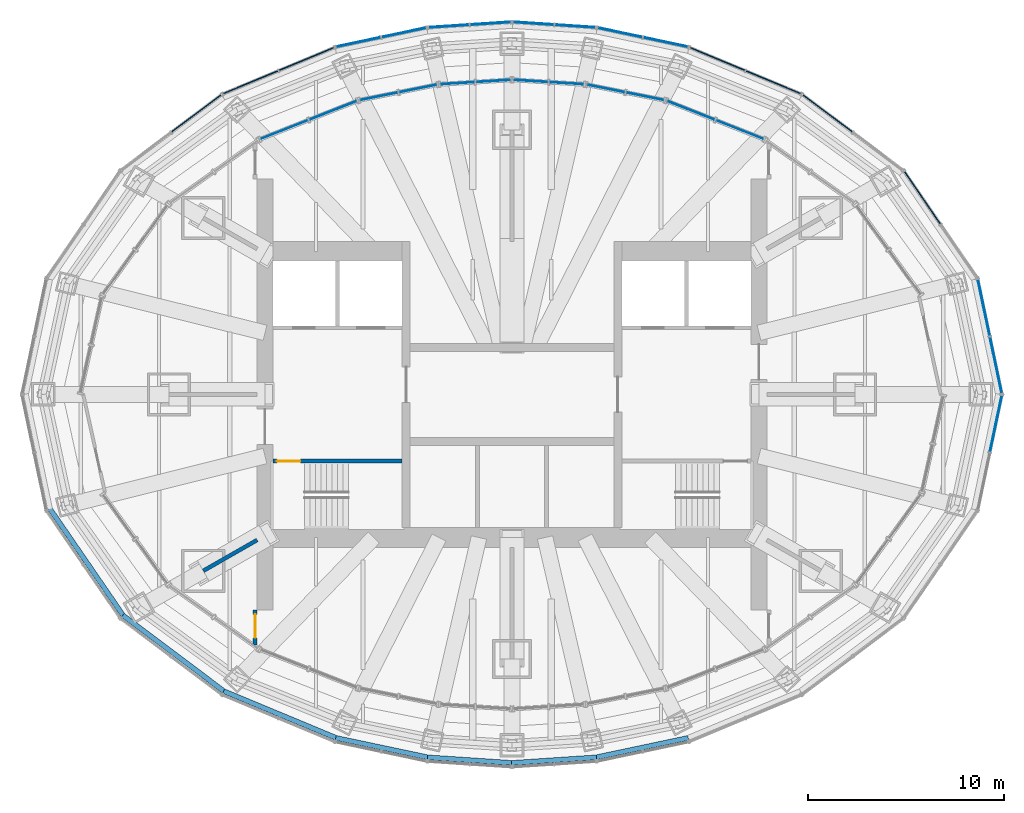
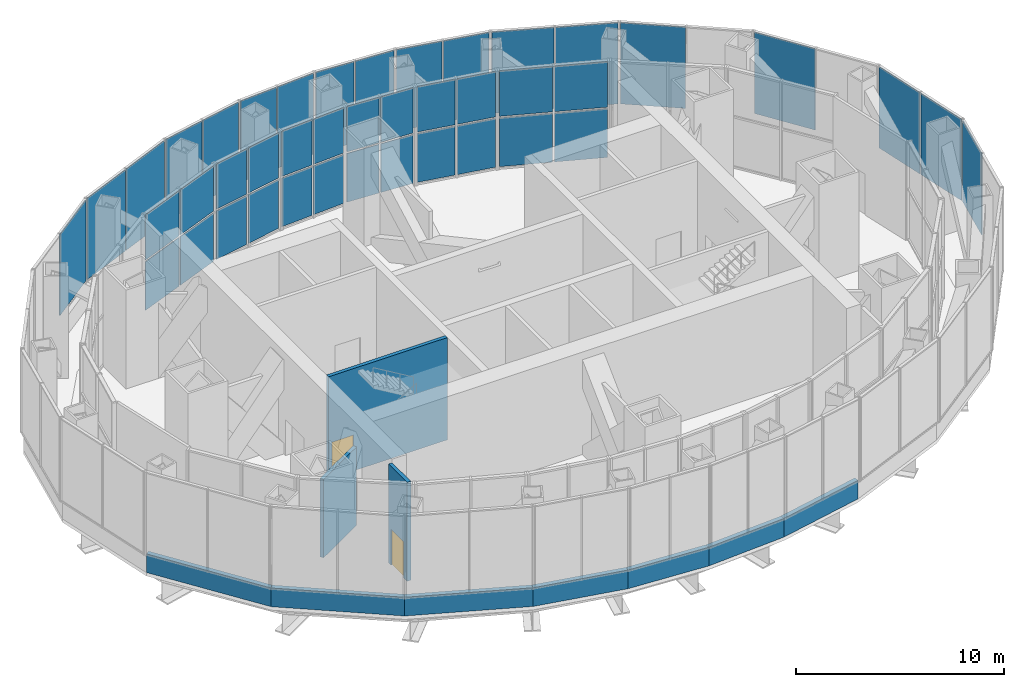
# One storey, part 15 of 21: 42 plates, 10 walls, 2 doors, 2 openings, 17 elements without a shape of their own.
"""IFC4 building model written with IfcOpenShell, lengths in metres."""

from ifc_helpers import new_model, si_unit, direction, frame, frame_2d, origin, origin_2d, place, context, subcontext, project, spatial, rectangle, extrude, material, layer, layer_set, type_object, element, fill, aggregate, save


model = new_model("IFC4")

# Units and contexts
model_context = context("Model", 3, precision=1e-05, world=origin(), true_north=direction((0.0, 1.0)))
body_context = subcontext(model_context, "Body", "Model", "MODEL_VIEW")
ifc_project = project(units=[si_unit("LENGTHUNIT", "METRE"), si_unit("AREAUNIT", "SQUARE_METRE"), si_unit("VOLUMEUNIT", "CUBIC_METRE"), si_unit("PLANEANGLEUNIT", "RADIAN"), si_unit("MASSUNIT", "GRAM", prefix="KILO")], contexts=[model_context])

# Site, building, storey
site_placement = place(None, origin())
site = spatial("IfcSite", under=ifc_project, at=site_placement, CompositionType="ELEMENT")
building_placement = place(site_placement, origin())
building = spatial("IfcBuilding", under=site, at=building_placement, Name="Lantaw Convention Tower", CompositionType="ELEMENT")
storey_placement = place(building_placement, frame((0.0, 0.0, 284.39990234375)))
storey = spatial("IfcBuildingStorey", under=building, at=storey_placement, Name="L66", CompositionType="ELEMENT", Elevation=284.39990234375)

# Curtain wall, plates
ifc_material_1 = material(Name="Aluminium framed curtain wall", Category="aluminium")
curtain_wall_type_1 = type_object("IfcCurtainWallType", Name="LANTERN glazing curtain wall, pale aluminium", PredefinedType="USERDEFINED", material=ifc_material_1)
curtain_wall_1_placement = place(storey_placement, origin())
curtain_wall_1 = element("IfcCurtainWall", 1, at=curtain_wall_1_placement, inside=storey, type_object=curtain_wall_type_1, Name="LANTERN glazing curtain wall, pale aluminium L66", ObjectType="LANTERN GLAZING", PredefinedType="USERDEFINED")
ifc_material_2 = material(Name="Low-iron laminated glass", Category="glass")
ifc_layer_1 = layer(ifc_material_2, 0.035888671875)
ifc_layer_set_1 = layer_set([ifc_layer_1], Name="CW-LN panel 36")
plate_type_1 = type_object("IfcPlateType", Name="CW-LN panel 36", PredefinedType="CURTAIN_PANEL", material=ifc_layer_set_1)
plate_1_placement = place(storey_placement, frame((11.615234375, 13.50439453125, 0.10009765625), z_axis=(0.0, 0.0, 1.0), x_axis=(-0.930299050885, 0.366801957358, 0.0)))
plate_1 = element("IfcPlate", 2, at=plate_1_placement, type_object=plate_type_1, Name="CW-LN panel 1.1", PredefinedType="CURTAIN_PANEL", context=body_context, shape_type="SweptSolid", body=[
    extrude(rectangle(XDim=2.574462890625, YDim=0.035888671875, at=origin_2d()), origin(), (0.0, 0.0, 1.0), 2.85009765625),
])
plate_2_placement = place(storey_placement, frame((11.615234375, 13.50439453125, 3.050048828125), z_axis=(0.0, 0.0, 1.0), x_axis=(-0.930299050885, 0.366801957358, 0.0)))
plate_2 = element("IfcPlate", 3, at=plate_2_placement, type_object=plate_type_1, Name="CW-LN panel 1.2", PredefinedType="CURTAIN_PANEL", context=body_context, shape_type="SweptSolid", body=[
    extrude(rectangle(XDim=2.574462890625, YDim=0.035888671875, at=origin_2d()), origin(), (0.0, 0.0, 1.0), 2.64990234375),
])
plate_3_placement = place(storey_placement, frame((9.127197265625, 14.4853515625, 0.10009765625), z_axis=(0.0, 0.0, 1.0), x_axis=(-0.930299050885, 0.366801957358, 0.0)))
plate_3 = element("IfcPlate", 4, at=plate_3_placement, type_object=plate_type_1, Name="CW-LN panel 2.1", PredefinedType="CURTAIN_PANEL", context=body_context, shape_type="SweptSolid", body=[
    extrude(rectangle(XDim=2.574462890625, YDim=0.035888671875, at=origin_2d()), origin(), (0.0, 0.0, 1.0), 2.85009765625),
])
plate_4_placement = place(storey_placement, frame((9.127197265625, 14.4853515625, 3.050048828125), z_axis=(0.0, 0.0, 1.0), x_axis=(-0.930299050885, 0.366801957358, 0.0)))
plate_4 = element("IfcPlate", 5, at=plate_4_placement, type_object=plate_type_1, Name="CW-LN panel 2.2", PredefinedType="CURTAIN_PANEL", context=body_context, shape_type="SweptSolid", body=[
    extrude(rectangle(XDim=2.574462890625, YDim=0.035888671875, at=origin_2d()), origin(), (0.0, 0.0, 1.0), 2.64990234375),
])
aggregate(curtain_wall_1, [plate_1, plate_2, plate_3, plate_4])

curtain_wall_2_placement = place(storey_placement, origin())
curtain_wall_2 = element("IfcCurtainWall", 6, at=curtain_wall_2_placement, inside=storey, type_object=curtain_wall_type_1, Name="LANTERN glazing curtain wall, pale aluminium L66", ObjectType="LANTERN GLAZING", PredefinedType="USERDEFINED")
plate_5_placement = place(storey_placement, frame((6.789306640625, 15.2041015625, 0.10009765625), z_axis=(0.0, 0.0, 1.0), x_axis=(-0.980530423622, 0.196367228305, 0.0)))
plate_5 = element("IfcPlate", 7, at=plate_5_placement, type_object=plate_type_1, Name="CW-LN panel 1.1", PredefinedType="CURTAIN_PANEL", context=body_context, shape_type="SweptSolid", body=[
    extrude(rectangle(XDim=1.936279296875, YDim=0.035888671875, at=origin_2d()), origin(), (0.0, 0.0, 1.0), 2.85009765625),
])
plate_6_placement = place(storey_placement, frame((6.789306640625, 15.2041015625, 3.050048828125), z_axis=(0.0, 0.0, 1.0), x_axis=(-0.980530423622, 0.196367228305, 0.0)))
plate_6 = element("IfcPlate", 8, at=plate_6_placement, type_object=plate_type_1, Name="CW-LN panel 1.2", PredefinedType="CURTAIN_PANEL", context=body_context, shape_type="SweptSolid", body=[
    extrude(rectangle(XDim=1.936279296875, YDim=0.035888671875, at=origin_2d()), origin(), (0.0, 0.0, 1.0), 2.64990234375),
])
plate_7_placement = place(storey_placement, frame((4.792724609375, 15.60400390625, 0.10009765625), z_axis=(0.0, 0.0, 1.0), x_axis=(-0.980530423622, 0.196367228305, 0.0)))
plate_7 = element("IfcPlate", 9, at=plate_7_placement, type_object=plate_type_1, Name="CW-LN panel 2.1", PredefinedType="CURTAIN_PANEL", context=body_context, shape_type="SweptSolid", body=[
    extrude(rectangle(XDim=1.936279296875, YDim=0.035888671875, at=origin_2d()), origin(), (0.0, 0.0, 1.0), 2.85009765625),
])
plate_8_placement = place(storey_placement, frame((4.792724609375, 15.60400390625, 3.050048828125), z_axis=(0.0, 0.0, 1.0), x_axis=(-0.980530423622, 0.196367228305, 0.0)))
plate_8 = element("IfcPlate", 10, at=plate_8_placement, type_object=plate_type_1, Name="CW-LN panel 2.2", PredefinedType="CURTAIN_PANEL", context=body_context, shape_type="SweptSolid", body=[
    extrude(rectangle(XDim=1.936279296875, YDim=0.035888671875, at=origin_2d()), origin(), (0.0, 0.0, 1.0), 2.64990234375),
])
aggregate(curtain_wall_2, [plate_5, plate_6, plate_7, plate_8])

curtain_wall_3_placement = place(storey_placement, origin())
curtain_wall_3 = element("IfcCurtainWall", 11, at=curtain_wall_3_placement, inside=storey, type_object=curtain_wall_type_1, Name="LANTERN glazing curtain wall, pale aluminium L66", ObjectType="LANTERN GLAZING", PredefinedType="USERDEFINED")
plate_9_placement = place(storey_placement, frame((2.783935546875, 15.873779296875, 0.10009765625), z_axis=(0.0, 0.0, 1.0), x_axis=(-0.998045676091, 0.062488626454, 0.0)))
plate_9 = element("IfcPlate", 12, at=plate_9_placement, type_object=plate_type_1, Name="CW-LN panel 1.1", PredefinedType="CURTAIN_PANEL", context=body_context, shape_type="SweptSolid", body=[
    extrude(rectangle(XDim=1.726318359375, YDim=0.035888671875, at=origin_2d()), origin(), (0.0, 0.0, 1.0), 2.85009765625),
])
plate_10_placement = place(storey_placement, frame((2.783935546875, 15.873779296875, 3.050048828125), z_axis=(0.0, 0.0, 1.0), x_axis=(-0.998045676091, 0.062488626454, 0.0)))
plate_10 = element("IfcPlate", 13, at=plate_10_placement, type_object=plate_type_1, Name="CW-LN panel 1.2", PredefinedType="CURTAIN_PANEL", context=body_context, shape_type="SweptSolid", body=[
    extrude(rectangle(XDim=1.726318359375, YDim=0.035888671875, at=origin_2d()), origin(), (0.0, 0.0, 1.0), 2.64990234375),
])
plate_11_placement = place(storey_placement, frame((0.961181640625, 15.988037109375, 0.10009765625), z_axis=(0.0, 0.0, 1.0), x_axis=(-0.998045676091, 0.062488626454, 0.0)))
plate_11 = element("IfcPlate", 14, at=plate_11_placement, type_object=plate_type_1, Name="CW-LN panel 2.1", PredefinedType="CURTAIN_PANEL", context=body_context, shape_type="SweptSolid", body=[
    extrude(rectangle(XDim=1.726318359375, YDim=0.035888671875, at=origin_2d()), origin(), (0.0, 0.0, 1.0), 2.85009765625),
])
plate_12_placement = place(storey_placement, frame((0.961181640625, 15.988037109375, 3.050048828125), z_axis=(0.0, 0.0, 1.0), x_axis=(-0.998045676091, 0.062488626454, 0.0)))
plate_12 = element("IfcPlate", 15, at=plate_12_placement, type_object=plate_type_1, Name="CW-LN panel 2.2", PredefinedType="CURTAIN_PANEL", context=body_context, shape_type="SweptSolid", body=[
    extrude(rectangle(XDim=1.726318359375, YDim=0.035888671875, at=origin_2d()), origin(), (0.0, 0.0, 1.0), 2.64990234375),
])
aggregate(curtain_wall_3, [plate_9, plate_10, plate_11, plate_12])

curtain_wall_4_placement = place(storey_placement, origin())
curtain_wall_4 = element("IfcCurtainWall", 16, at=curtain_wall_4_placement, inside=storey, type_object=curtain_wall_type_1, Name="LANTERN glazing curtain wall, pale aluminium L66", ObjectType="LANTERN GLAZING", PredefinedType="USERDEFINED")
plate_13_placement = place(storey_placement, frame((-0.961181640625, 15.988037109375, 0.10009765625), z_axis=(0.0, 0.0, 1.0), x_axis=(-0.998045676091, -0.062488626454, 0.0)))
plate_13 = element("IfcPlate", 17, at=plate_13_placement, type_object=plate_type_1, Name="CW-LN panel 1.1", PredefinedType="CURTAIN_PANEL", context=body_context, shape_type="SweptSolid", body=[
    extrude(rectangle(XDim=1.726318359375, YDim=0.035888671875, at=origin_2d()), origin(), (0.0, 0.0, 1.0), 2.85009765625),
])
plate_14_placement = place(storey_placement, frame((-0.961181640625, 15.988037109375, 3.050048828125), z_axis=(0.0, 0.0, 1.0), x_axis=(-0.998045676091, -0.062488626454, 0.0)))
plate_14 = element("IfcPlate", 18, at=plate_14_placement, type_object=plate_type_1, Name="CW-LN panel 1.2", PredefinedType="CURTAIN_PANEL", context=body_context, shape_type="SweptSolid", body=[
    extrude(rectangle(XDim=1.726318359375, YDim=0.035888671875, at=origin_2d()), origin(), (0.0, 0.0, 1.0), 2.64990234375),
])
plate_15_placement = place(storey_placement, frame((-2.783935546875, 15.873779296875, 0.10009765625), z_axis=(0.0, 0.0, 1.0), x_axis=(-0.998045676091, -0.062488626454, 0.0)))
plate_15 = element("IfcPlate", 19, at=plate_15_placement, type_object=plate_type_1, Name="CW-LN panel 2.1", PredefinedType="CURTAIN_PANEL", context=body_context, shape_type="SweptSolid", body=[
    extrude(rectangle(XDim=1.726318359375, YDim=0.035888671875, at=origin_2d()), origin(), (0.0, 0.0, 1.0), 2.85009765625),
])
plate_16_placement = place(storey_placement, frame((-2.783935546875, 15.873779296875, 3.050048828125), z_axis=(0.0, 0.0, 1.0), x_axis=(-0.998045676091, -0.062488626454, 0.0)))
plate_16 = element("IfcPlate", 20, at=plate_16_placement, type_object=plate_type_1, Name="CW-LN panel 2.2", PredefinedType="CURTAIN_PANEL", context=body_context, shape_type="SweptSolid", body=[
    extrude(rectangle(XDim=1.726318359375, YDim=0.035888671875, at=origin_2d()), origin(), (0.0, 0.0, 1.0), 2.64990234375),
])
aggregate(curtain_wall_4, [plate_13, plate_14, plate_15, plate_16])

curtain_wall_5_placement = place(storey_placement, origin())
curtain_wall_5 = element("IfcCurtainWall", 21, at=curtain_wall_5_placement, inside=storey, type_object=curtain_wall_type_1, Name="LANTERN glazing curtain wall, pale aluminium L66", ObjectType="LANTERN GLAZING", PredefinedType="USERDEFINED")
plate_17_placement = place(storey_placement, frame((-4.792724609375, 15.60400390625, 0.10009765625), z_axis=(0.0, 0.0, 1.0), x_axis=(-0.980530423622, -0.196367228305, 0.0)))
plate_17 = element("IfcPlate", 22, at=plate_17_placement, type_object=plate_type_1, Name="CW-LN panel 1.1", PredefinedType="CURTAIN_PANEL", context=body_context, shape_type="SweptSolid", body=[
    extrude(rectangle(XDim=1.936279296875, YDim=0.035888671875, at=origin_2d()), origin(), (0.0, 0.0, 1.0), 2.85009765625),
])
plate_18_placement = place(storey_placement, frame((-4.792724609375, 15.60400390625, 3.050048828125), z_axis=(0.0, 0.0, 1.0), x_axis=(-0.980530423622, -0.196367228305, 0.0)))
plate_18 = element("IfcPlate", 23, at=plate_18_placement, type_object=plate_type_1, Name="CW-LN panel 1.2", PredefinedType="CURTAIN_PANEL", context=body_context, shape_type="SweptSolid", body=[
    extrude(rectangle(XDim=1.936279296875, YDim=0.035888671875, at=origin_2d()), origin(), (0.0, 0.0, 1.0), 2.64990234375),
])
plate_19_placement = place(storey_placement, frame((-6.789306640625, 15.2041015625, 0.10009765625), z_axis=(0.0, 0.0, 1.0), x_axis=(-0.980530423622, -0.196367228305, 0.0)))
plate_19 = element("IfcPlate", 24, at=plate_19_placement, type_object=plate_type_1, Name="CW-LN panel 2.1", PredefinedType="CURTAIN_PANEL", context=body_context, shape_type="SweptSolid", body=[
    extrude(rectangle(XDim=1.936279296875, YDim=0.035888671875, at=origin_2d()), origin(), (0.0, 0.0, 1.0), 2.85009765625),
])
plate_20_placement = place(storey_placement, frame((-6.789306640625, 15.2041015625, 3.050048828125), z_axis=(0.0, 0.0, 1.0), x_axis=(-0.980530423622, -0.196367228305, 0.0)))
plate_20 = element("IfcPlate", 25, at=plate_20_placement, type_object=plate_type_1, Name="CW-LN panel 2.2", PredefinedType="CURTAIN_PANEL", context=body_context, shape_type="SweptSolid", body=[
    extrude(rectangle(XDim=1.936279296875, YDim=0.035888671875, at=origin_2d()), origin(), (0.0, 0.0, 1.0), 2.64990234375),
])
aggregate(curtain_wall_5, [plate_17, plate_18, plate_19, plate_20])

curtain_wall_6_placement = place(storey_placement, origin())
curtain_wall_6 = element("IfcCurtainWall", 26, at=curtain_wall_6_placement, inside=storey, type_object=curtain_wall_type_1, Name="LANTERN glazing curtain wall, pale aluminium L66", ObjectType="LANTERN GLAZING", PredefinedType="USERDEFINED")
plate_21_placement = place(storey_placement, frame((-9.127197265625, 14.4853515625, 0.10009765625), z_axis=(0.0, 0.0, 1.0), x_axis=(-0.930299050885, -0.366801957358, 0.0)))
plate_21 = element("IfcPlate", 27, at=plate_21_placement, type_object=plate_type_1, Name="CW-LN panel 1.1", PredefinedType="CURTAIN_PANEL", context=body_context, shape_type="SweptSolid", body=[
    extrude(rectangle(XDim=2.574462890625, YDim=0.035888671875, at=origin_2d()), origin(), (0.0, 0.0, 1.0), 2.85009765625),
])
plate_22_placement = place(storey_placement, frame((-9.127197265625, 14.4853515625, 3.050048828125), z_axis=(0.0, 0.0, 1.0), x_axis=(-0.930299050885, -0.366801957358, 0.0)))
plate_22 = element("IfcPlate", 28, at=plate_22_placement, type_object=plate_type_1, Name="CW-LN panel 1.2", PredefinedType="CURTAIN_PANEL", context=body_context, shape_type="SweptSolid", body=[
    extrude(rectangle(XDim=2.574462890625, YDim=0.035888671875, at=origin_2d()), origin(), (0.0, 0.0, 1.0), 2.64990234375),
])
plate_23_placement = place(storey_placement, frame((-11.615234375, 13.50439453125, 0.10009765625), z_axis=(0.0, 0.0, 1.0), x_axis=(-0.930299050885, -0.366801957358, 0.0)))
plate_23 = element("IfcPlate", 29, at=plate_23_placement, type_object=plate_type_1, Name="CW-LN panel 2.1", PredefinedType="CURTAIN_PANEL", context=body_context, shape_type="SweptSolid", body=[
    extrude(rectangle(XDim=2.574462890625, YDim=0.035888671875, at=origin_2d()), origin(), (0.0, 0.0, 1.0), 2.85009765625),
])
plate_24_placement = place(storey_placement, frame((-11.615234375, 13.50439453125, 3.050048828125), z_axis=(0.0, 0.0, 1.0), x_axis=(-0.930299050885, -0.366801957358, 0.0)))
plate_24 = element("IfcPlate", 30, at=plate_24_placement, type_object=plate_type_1, Name="CW-LN panel 2.2", PredefinedType="CURTAIN_PANEL", context=body_context, shape_type="SweptSolid", body=[
    extrude(rectangle(XDim=2.574462890625, YDim=0.035888671875, at=origin_2d()), origin(), (0.0, 0.0, 1.0), 2.64990234375),
])
aggregate(curtain_wall_6, [plate_21, plate_22, plate_23, plate_24])

curtain_wall_type_2 = type_object("IfcCurtainWallType", Name="Plant floor louvre wall, pale aluminium", PredefinedType="USERDEFINED", material=ifc_material_1)
curtain_wall_7_placement = place(storey_placement, origin())
curtain_wall_7 = element("IfcCurtainWall", 31, at=curtain_wall_7_placement, inside=storey, type_object=curtain_wall_type_2, Name="Plant floor louvre wall, pale aluminium L66", ObjectType="LOUVRE WALL", PredefinedType="USERDEFINED")
ifc_material_3 = material(Name="Aluminium louvre blades", Category="aluminium")
ifc_layer_2 = layer(ifc_material_3, 0.050048828125)
ifc_layer_set_2 = layer_set([ifc_layer_2], Name="CW-LV panel 50")
plate_type_2 = type_object("IfcPlateType", Name="CW-LV panel 50", PredefinedType="CURTAIN_PANEL", material=ifc_layer_set_2)
plate_25_placement = place(storey_placement, frame((24.68505859375, 1.497802734375, 1.169921875), z_axis=(0.0, 0.0, 1.0), x_axis=(-0.205814054946, 0.978591117263, 0.0)))
plate_25 = element("IfcPlate", 32, at=plate_25_placement, type_object=plate_type_2, Name="CW-LV panel 1.1", PredefinedType="CURTAIN_PANEL", context=body_context, shape_type="SweptSolid", body=[
    extrude(rectangle(XDim=2.921142578125, YDim=0.050048828125, at=origin_2d()), origin(), (0.0, 0.0, 1.0), 4.760009765625),
])
plate_26_placement = place(storey_placement, frame((24.0693359375, 4.4248046875, 1.169921875), z_axis=(0.0, 0.0, 1.0), x_axis=(-0.205814054946, 0.978591117263, 0.0)))
plate_26 = element("IfcPlate", 33, at=plate_26_placement, type_object=plate_type_2, Name="CW-LV panel 2.1", PredefinedType="CURTAIN_PANEL", context=body_context, shape_type="SweptSolid", body=[
    extrude(rectangle(XDim=2.921142578125, YDim=0.050048828125, at=origin_2d()), origin(), (0.0, 0.0, 1.0), 4.760009765625),
])
aggregate(curtain_wall_7, [plate_25, plate_26])

# Curtain wall, plate
curtain_wall_8_placement = place(storey_placement, origin())
curtain_wall_8 = element("IfcCurtainWall", 34, at=curtain_wall_8_placement, inside=storey, type_object=curtain_wall_type_2, Name="Plant floor louvre wall, pale aluminium L66", ObjectType="LOUVRE WALL", PredefinedType="USERDEFINED")
plate_27_placement = place(storey_placement, frame((20.93505859375, 10.030029296875, 1.169921875), z_axis=(0.0, 0.0, 1.0), x_axis=(-0.565934832921, 0.824449977189, 0.0)))
plate_27 = element("IfcPlate", 35, at=plate_27_placement, type_object=plate_type_2, Name="CW-LV panel 2.1", PredefinedType="CURTAIN_PANEL", context=body_context, shape_type="SweptSolid", body=[
    extrude(rectangle(XDim=3.22802734375, YDim=0.050048828125, at=origin_2d()), origin(), (0.0, 0.0, 1.0), 4.760009765625),
])
aggregate(curtain_wall_8, [plate_27])

curtain_wall_9_placement = place(storey_placement, origin())
curtain_wall_9 = element("IfcCurtainWall", 36, at=curtain_wall_9_placement, inside=storey, type_object=curtain_wall_type_2, Name="Plant floor louvre wall, pale aluminium L66", ObjectType="LOUVRE WALL", PredefinedType="USERDEFINED")
plate_28_placement = place(storey_placement, frame((16.103271484375, 14.33203125, 1.169921875), z_axis=(0.0, 0.0, 1.0), x_axis=(-0.799517528732, 0.600642756762, 0.0)))
plate_28 = element("IfcPlate", 37, at=plate_28_placement, type_object=plate_type_2, Name="CW-LV panel 2.1", PredefinedType="CURTAIN_PANEL", context=body_context, shape_type="SweptSolid", body=[
    extrude(rectangle(XDim=3.140869140625, YDim=0.050048828125, at=origin_2d()), origin(), (0.0, 0.0, 1.0), 4.760009765625),
])
aggregate(curtain_wall_9, [plate_28])

# Curtain wall, plates
curtain_wall_10_placement = place(storey_placement, origin())
curtain_wall_10 = element("IfcCurtainWall", 38, at=curtain_wall_10_placement, inside=storey, type_object=curtain_wall_type_2, Name="Plant floor louvre wall, pale aluminium L66", ObjectType="LOUVRE WALL", PredefinedType="USERDEFINED")
plate_29_placement = place(storey_placement, frame((13.334716796875, 15.92431640625, 1.169921875), z_axis=(0.0, 0.0, 1.0), x_axis=(-0.923141777124, 0.384459697924, 0.0)))
plate_29 = element("IfcPlate", 39, at=plate_29_placement, type_object=plate_type_2, Name="CW-LV panel 1.1", PredefinedType="CURTAIN_PANEL", context=body_context, shape_type="SweptSolid", body=[
    extrude(rectangle(XDim=3.01708984375, YDim=0.050048828125, at=origin_2d()), origin(), (0.0, 0.0, 1.0), 4.760009765625),
])
plate_30_placement = place(storey_placement, frame((10.48486328125, 17.111083984375, 1.169921875), z_axis=(0.0, 0.0, 1.0), x_axis=(-0.923141777124, 0.384459697924, 0.0)))
plate_30 = element("IfcPlate", 40, at=plate_30_placement, type_object=plate_type_2, Name="CW-LV panel 2.1", PredefinedType="CURTAIN_PANEL", context=body_context, shape_type="SweptSolid", body=[
    extrude(rectangle(XDim=3.01708984375, YDim=0.050048828125, at=origin_2d()), origin(), (0.0, 0.0, 1.0), 4.760009765625),
])
aggregate(curtain_wall_10, [plate_29, plate_30])

curtain_wall_11_placement = place(storey_placement, origin())
curtain_wall_11 = element("IfcCurtainWall", 41, at=curtain_wall_11_placement, inside=storey, type_object=curtain_wall_type_2, Name="Plant floor louvre wall, pale aluminium L66", ObjectType="LOUVRE WALL", PredefinedType="USERDEFINED")
plate_31_placement = place(storey_placement, frame((7.833740234375, 17.970703125, 1.169921875), z_axis=(0.0, 0.0, 1.0), x_axis=(-0.978332497083, 0.207039911975, 0.0)))
plate_31 = element("IfcPlate", 42, at=plate_31_placement, type_object=plate_type_2, Name="CW-LV panel 1.1", PredefinedType="CURTAIN_PANEL", context=body_context, shape_type="SweptSolid", body=[
    extrude(rectangle(XDim=2.30078125, YDim=0.050048828125, at=origin_2d()), origin(), (0.0, 0.0, 1.0), 4.760009765625),
])
plate_32_placement = place(storey_placement, frame((5.514404296875, 18.46142578125, 1.169921875), z_axis=(0.0, 0.0, 1.0), x_axis=(-0.978332497083, 0.207039911975, 0.0)))
plate_32 = element("IfcPlate", 43, at=plate_32_placement, type_object=plate_type_2, Name="CW-LV panel 2.1", PredefinedType="CURTAIN_PANEL", context=body_context, shape_type="SweptSolid", body=[
    extrude(rectangle(XDim=2.30078125, YDim=0.050048828125, at=origin_2d()), origin(), (0.0, 0.0, 1.0), 4.760009765625),
])
aggregate(curtain_wall_11, [plate_31, plate_32])

curtain_wall_12_placement = place(storey_placement, origin())
curtain_wall_12 = element("IfcCurtainWall", 44, at=curtain_wall_12_placement, inside=storey, type_object=curtain_wall_type_2, Name="Plant floor louvre wall, pale aluminium L66", ObjectType="LOUVRE WALL", PredefinedType="USERDEFINED")
plate_33_placement = place(storey_placement, frame((3.222900390625, 18.78662109375, 1.169921875), z_axis=(0.0, 0.0, 1.0), x_axis=(-0.997817975525, 0.066024902273, 0.0)))
plate_33 = element("IfcPlate", 45, at=plate_33_placement, type_object=plate_type_2, Name="CW-LV panel 1.1", PredefinedType="CURTAIN_PANEL", context=body_context, shape_type="SweptSolid", body=[
    extrude(rectangle(XDim=2.06005859375, YDim=0.050048828125, at=origin_2d()), origin(), (0.0, 0.0, 1.0), 4.760009765625),
])
plate_34_placement = place(storey_placement, frame((1.09765625, 18.927490234375, 1.169921875), z_axis=(0.0, 0.0, 1.0), x_axis=(-0.997817975525, 0.066024902273, 0.0)))
plate_34 = element("IfcPlate", 46, at=plate_34_placement, type_object=plate_type_2, Name="CW-LV panel 2.1", PredefinedType="CURTAIN_PANEL", context=body_context, shape_type="SweptSolid", body=[
    extrude(rectangle(XDim=2.06005859375, YDim=0.050048828125, at=origin_2d()), origin(), (0.0, 0.0, 1.0), 4.760009765625),
])
aggregate(curtain_wall_12, [plate_33, plate_34])

curtain_wall_13_placement = place(storey_placement, origin())
curtain_wall_13 = element("IfcCurtainWall", 47, at=curtain_wall_13_placement, inside=storey, type_object=curtain_wall_type_2, Name="Plant floor louvre wall, pale aluminium L66", ObjectType="LOUVRE WALL", PredefinedType="USERDEFINED")
plate_35_placement = place(storey_placement, frame((-1.09765625, 18.927490234375, 1.169921875), z_axis=(0.0, 0.0, 1.0), x_axis=(-0.997817975525, -0.066024902273, 0.0)))
plate_35 = element("IfcPlate", 48, at=plate_35_placement, type_object=plate_type_2, Name="CW-LV panel 1.1", PredefinedType="CURTAIN_PANEL", context=body_context, shape_type="SweptSolid", body=[
    extrude(rectangle(XDim=2.06005859375, YDim=0.050048828125, at=origin_2d()), origin(), (0.0, 0.0, 1.0), 4.760009765625),
])
plate_36_placement = place(storey_placement, frame((-3.222900390625, 18.78662109375, 1.169921875), z_axis=(0.0, 0.0, 1.0), x_axis=(-0.997817975525, -0.066024902273, 0.0)))
plate_36 = element("IfcPlate", 49, at=plate_36_placement, type_object=plate_type_2, Name="CW-LV panel 2.1", PredefinedType="CURTAIN_PANEL", context=body_context, shape_type="SweptSolid", body=[
    extrude(rectangle(XDim=2.06005859375, YDim=0.050048828125, at=origin_2d()), origin(), (0.0, 0.0, 1.0), 4.760009765625),
])
aggregate(curtain_wall_13, [plate_35, plate_36])

curtain_wall_14_placement = place(storey_placement, origin())
curtain_wall_14 = element("IfcCurtainWall", 50, at=curtain_wall_14_placement, inside=storey, type_object=curtain_wall_type_2, Name="Plant floor louvre wall, pale aluminium L66", ObjectType="LOUVRE WALL", PredefinedType="USERDEFINED")
plate_37_placement = place(storey_placement, frame((-5.514404296875, 18.46142578125, 1.169921875), z_axis=(0.0, 0.0, 1.0), x_axis=(-0.978332497083, -0.207039911975, 0.0)))
plate_37 = element("IfcPlate", 51, at=plate_37_placement, type_object=plate_type_2, Name="CW-LV panel 1.1", PredefinedType="CURTAIN_PANEL", context=body_context, shape_type="SweptSolid", body=[
    extrude(rectangle(XDim=2.30078125, YDim=0.050048828125, at=origin_2d()), origin(), (0.0, 0.0, 1.0), 4.760009765625),
])
plate_38_placement = place(storey_placement, frame((-7.833740234375, 17.970703125, 1.169921875), z_axis=(0.0, 0.0, 1.0), x_axis=(-0.978332497083, -0.207039911975, 0.0)))
plate_38 = element("IfcPlate", 52, at=plate_38_placement, type_object=plate_type_2, Name="CW-LV panel 2.1", PredefinedType="CURTAIN_PANEL", context=body_context, shape_type="SweptSolid", body=[
    extrude(rectangle(XDim=2.30078125, YDim=0.050048828125, at=origin_2d()), origin(), (0.0, 0.0, 1.0), 4.760009765625),
])
aggregate(curtain_wall_14, [plate_37, plate_38])

curtain_wall_15_placement = place(storey_placement, origin())
curtain_wall_15 = element("IfcCurtainWall", 53, at=curtain_wall_15_placement, inside=storey, type_object=curtain_wall_type_2, Name="Plant floor louvre wall, pale aluminium L66", ObjectType="LOUVRE WALL", PredefinedType="USERDEFINED")
plate_39_placement = place(storey_placement, frame((-10.48486328125, 17.111083984375, 1.169921875), z_axis=(0.0, 0.0, 1.0), x_axis=(-0.923141777124, -0.384459697924, 0.0)))
plate_39 = element("IfcPlate", 54, at=plate_39_placement, type_object=plate_type_2, Name="CW-LV panel 1.1", PredefinedType="CURTAIN_PANEL", context=body_context, shape_type="SweptSolid", body=[
    extrude(rectangle(XDim=3.01708984375, YDim=0.050048828125, at=origin_2d()), origin(), (0.0, 0.0, 1.0), 4.760009765625),
])
plate_40_placement = place(storey_placement, frame((-13.334716796875, 15.92431640625, 1.169921875), z_axis=(0.0, 0.0, 1.0), x_axis=(-0.923141777124, -0.384459697924, 0.0)))
plate_40 = element("IfcPlate", 55, at=plate_40_placement, type_object=plate_type_2, Name="CW-LV panel 2.1", PredefinedType="CURTAIN_PANEL", context=body_context, shape_type="SweptSolid", body=[
    extrude(rectangle(XDim=3.01708984375, YDim=0.050048828125, at=origin_2d()), origin(), (0.0, 0.0, 1.0), 4.760009765625),
])
aggregate(curtain_wall_15, [plate_39, plate_40])

# Curtain wall, plate
curtain_wall_16_placement = place(storey_placement, origin())
curtain_wall_16 = element("IfcCurtainWall", 56, at=curtain_wall_16_placement, inside=storey, type_object=curtain_wall_type_2, Name="Plant floor louvre wall, pale aluminium L66", ObjectType="LOUVRE WALL", PredefinedType="USERDEFINED")
plate_41_placement = place(storey_placement, frame((-16.103271484375, 14.33203125, 1.169921875), z_axis=(0.0, 0.0, 1.0), x_axis=(-0.799517528732, -0.600642756762, 0.0)))
plate_41 = element("IfcPlate", 57, at=plate_41_placement, type_object=plate_type_2, Name="CW-LV panel 1.1", PredefinedType="CURTAIN_PANEL", context=body_context, shape_type="SweptSolid", body=[
    extrude(rectangle(XDim=3.140869140625, YDim=0.050048828125, at=origin_2d()), origin(), (0.0, 0.0, 1.0), 4.760009765625),
])
aggregate(curtain_wall_16, [plate_41])

curtain_wall_17_placement = place(storey_placement, origin())
curtain_wall_17 = element("IfcCurtainWall", 58, at=curtain_wall_17_placement, inside=storey, type_object=curtain_wall_type_2, Name="Plant floor louvre wall, pale aluminium L66", ObjectType="LOUVRE WALL", PredefinedType="USERDEFINED")
plate_42_placement = place(storey_placement, frame((24.68505859375, -1.497802734375, 1.169921875), z_axis=(0.0, 0.0, 1.0), x_axis=(0.205814054946, 0.978591117263, 0.0)))
plate_42 = element("IfcPlate", 59, at=plate_42_placement, type_object=plate_type_2, Name="CW-LV panel 2.1", PredefinedType="CURTAIN_PANEL", context=body_context, shape_type="SweptSolid", body=[
    extrude(rectangle(XDim=2.921142578125, YDim=0.050048828125, at=origin_2d()), origin(), (0.0, 0.0, 1.0), 4.760009765625),
])
aggregate(curtain_wall_17, [plate_42])

# Wall, opening, door
ifc_material_4 = material(Name="Concrete C60/75", Category="concrete")
ifc_layer_3 = layer(ifc_material_4, 0.199951171875)
ifc_layer_set_3 = layer_set([ifc_layer_3], Name="Core wall 200")
wall_type_1 = type_object("IfcWallType", Name="Core wall 200", PredefinedType="SHEAR", material=ifc_layer_set_3)
wall_1_placement = place(storey_placement, frame((-5.60009765625, -3.39990234375, 0.0), z_axis=(0.0, 0.0, 1.0), x_axis=(-1.0, 0.0, 0.0)))
wall_1 = element("IfcWall", 60, at=wall_1_placement, inside=storey, type_object=wall_type_1, Name="Core wall WS", PredefinedType="SHEAR", context=body_context, shape_type="SweptSolid", body=[
    extrude(rectangle(XDim=6.599853515625, YDim=0.199951171875, at=frame_2d((3.2998046875, 0.0))), origin(), (0.0, 0.0, 1.0), 6.0),
])
opening_1_placement = place(wall_1_placement, frame((5.199951171875, 0.0, 0.0)))
opening_1 = element("IfcOpeningElement", 61, at=opening_1_placement, cuts=wall_1, Name="Opening L66.04", PredefinedType="OPENING", context=body_context, shape_type="SweptSolid", body=[
    extrude(rectangle(XDim=1.199951171875, YDim=2.10009765625, at=frame_2d((0.60009765625, 1.050048828125))), frame((0.0, 0.10986328125, 0.0), z_axis=(0.0, -1.0, 0.0), x_axis=(1.0, 0.0, 0.0)), (0.0, 0.0, 1.0), 0.219970703125),
])
ifc_material_5 = material(Name="Steel, fire rated", Category="steel")
door_type_1 = type_object("IfcDoorType", Name="Stair door FD90", OperationType="SINGLE_SWING_RIGHT", PredefinedType="DOOR", material=ifc_material_5)
door_1_placement = place(opening_1_placement, origin())
door_1 = element("IfcDoor", 62, at=door_1_placement, inside=storey, type_object=door_type_1, Name="Exit stair door", OperationType="SINGLE_SWING_RIGHT", OverallHeight=2.10009765625, OverallWidth=1.199951171875, PredefinedType="DOOR", context=body_context, shape_type="SweptSolid", body=[
    extrude(rectangle(XDim=1.199951171875, YDim=2.10009765625, at=frame_2d((0.60009765625, 1.050048828125))), frame((0.0, 0.02490234375, 0.0), z_axis=(0.0, -1.0, 0.0), x_axis=(1.0, 0.0, 0.0)), (0.0, 0.0, 1.0), 0.050048828125),
])
fill(opening_1, door_1)

# Walls
ifc_material_6 = material(Name="Concrete C35/45 with aluminium coping", Category="concrete")
ifc_layer_4 = layer(ifc_material_6, 0.25)
ifc_layer_set_4 = layer_set([ifc_layer_4], Name="Parapet 250")
wall_type_2 = type_object("IfcWallType", Name="Parapet 250", PredefinedType="PARAPET", material=ifc_layer_set_4)
wall_2_placement = place(storey_placement, frame((-23.578125, -5.825927734375, 0.0), z_axis=(0.0, 0.0, 1.0), x_axis=(0.565946016037, -0.824442300547, 0.0)))
element("IfcWall", 63, at=wall_2_placement, inside=storey, type_object=wall_type_2, Name="Ledge parapet", PredefinedType="PARAPET", context=body_context, shape_type="SweptSolid", body=[
    extrude(rectangle(XDim=6.633056640625, YDim=0.25, at=frame_2d((3.31640625, 0.0))), origin(), (0.0, 0.0, 1.0), 1.10009765625),
])
wall_3_placement = place(storey_placement, frame((-19.8515625, -11.26611328125, 0.0), z_axis=(0.0, 0.0, 1.0), x_axis=(0.799529087679, -0.600627370301, 0.0)))
element("IfcWall", 64, at=wall_3_placement, inside=storey, type_object=wall_type_2, Name="Ledge parapet", PredefinedType="PARAPET", context=body_context, shape_type="SweptSolid", body=[
    extrude(rectangle(XDim=6.4736328125, YDim=0.25, at=frame_2d((3.23681640625, 0.0))), origin(), (0.0, 0.0, 1.0), 1.10009765625),
])
wall_4_placement = place(storey_placement, frame((-14.710205078125, -15.134765625, 0.0), z_axis=(0.0, 0.0, 1.0), x_axis=(0.923135945789, -0.384473699481, 0.0)))
element("IfcWall", 65, at=wall_4_placement, inside=storey, type_object=wall_type_2, Name="Ledge parapet", PredefinedType="PARAPET", context=body_context, shape_type="SweptSolid", body=[
    extrude(rectangle(XDim=6.240234375, YDim=0.25, at=frame_2d((3.1201171875, 0.0))), origin(), (0.0, 0.0, 1.0), 1.10009765625),
])
wall_5_placement = place(storey_placement, frame((-8.987548828125, -17.52197265625, 0.0), z_axis=(0.0, 0.0, 1.0), x_axis=(0.978335298676, -0.207026673074, 0.0)))
element("IfcWall", 66, at=wall_5_placement, inside=storey, type_object=wall_type_2, Name="Ledge parapet", PredefinedType="PARAPET", context=body_context, shape_type="SweptSolid", body=[
    extrude(rectangle(XDim=4.818603515625, YDim=0.25, at=frame_2d((2.4091796875, 0.0))), origin(), (0.0, 0.0, 1.0), 1.10009765625),
])
for number, where, z_axis, x_axis, name in (
    (67, (-4.31298828125, -18.51416015625, 0.0), (0.0, 0.0, 1.0), (0.997819354924, -0.066004052439, 0.0), "Ledge parapet"),
    (68, (-0.02001953125, -18.80078125, 0.0), (0.0, 0.0, 1.0), (0.997819354924, 0.066004052439, 0.0), "Ledge parapet"),
):
    element("IfcWall", number, at=place(storey_placement, frame(where, z_axis=z_axis, x_axis=x_axis)), inside=storey, type_object=wall_type_2, Name=name, PredefinedType="PARAPET", context=body_context, shape_type="SweptSolid", body=[
        extrude(rectangle(XDim=4.342529296875, YDim=0.25, at=frame_2d((2.17138671875, 0.0))), origin(), (0.0, 0.0, 1.0), 1.10009765625),
    ])
wall_6_placement = place(storey_placement, frame((4.2734375, -18.51953125, 0.0), z_axis=(0.0, 0.0, 1.0), x_axis=(0.978335298676, 0.207026673074, 0.0)))
element("IfcWall", 69, at=wall_6_placement, inside=storey, type_object=wall_type_2, Name="Ledge parapet", PredefinedType="PARAPET", context=body_context, shape_type="SweptSolid", body=[
    extrude(rectangle(XDim=4.818603515625, YDim=0.25, at=frame_2d((2.4091796875, 0.0))), origin(), (0.0, 0.0, 1.0), 1.10009765625),
])

# Wall, opening, door
ifc_material_7 = material(Name="Concrete blockwork, fire rated", Category="masonry")
ifc_layer_5 = layer(ifc_material_7, 0.199951171875)
ifc_layer_set_5 = layer_set([ifc_layer_5], Name="Plant room wall 200 EI 120")
wall_type_3 = type_object("IfcWallType", Name="Plant room wall 200 EI 120", PredefinedType="SOLIDWALL", material=ifc_layer_set_5)
wall_7_placement = place(storey_placement, frame((-13.10009765625, -11.0, 0.0), z_axis=(0.0, 0.0, 1.0), x_axis=(0.0, -1.0, 0.0)))
wall_7 = element("IfcWall", 70, at=wall_7_placement, inside=storey, type_object=wall_type_3, Name="Plant room wall 200", PredefinedType="SOLIDWALL", context=body_context, shape_type="SweptSolid", body=[
    extrude(rectangle(XDim=1.79443359375, YDim=0.199951171875, at=frame_2d((0.897216796875, 0.0))), origin(), (0.0, 0.0, 1.0), 5.800048828125),
])
opening_2_placement = place(wall_7_placement, frame((0.22119140625, 0.0, 0.0)))
opening_2 = element("IfcOpeningElement", 71, at=opening_2_placement, cuts=wall_7, Name="Opening L66.11", PredefinedType="OPENING", context=body_context, shape_type="SweptSolid", body=[
    extrude(rectangle(XDim=1.199951171875, YDim=2.10009765625, at=frame_2d((0.60009765625, 1.050048828125))), frame((0.0, 0.10986328125, 0.0), z_axis=(0.0, -1.0, 0.0), x_axis=(1.0, 0.0, 0.0)), (0.0, 0.0, 1.0), 0.219970703125),
])
door_type_2 = type_object("IfcDoorType", Name="Plant room single door FD90", OperationType="SINGLE_SWING_LEFT", PredefinedType="DOOR", material=ifc_material_5)
door_2_placement = place(opening_2_placement, origin())
door_2 = element("IfcDoor", 72, at=door_2_placement, inside=storey, type_object=door_type_2, Name="Plant room door", OperationType="SINGLE_SWING_LEFT", OverallHeight=2.10009765625, OverallWidth=1.199951171875, PredefinedType="DOOR", context=body_context, shape_type="SweptSolid", body=[
    extrude(rectangle(XDim=1.199951171875, YDim=2.10009765625, at=frame_2d((0.60009765625, 1.050048828125))), frame((0.0, 0.02490234375, 0.0), z_axis=(0.0, -1.0, 0.0), x_axis=(1.0, 0.0, 0.0)), (0.0, 0.0, 1.0), 0.050048828125),
])
fill(opening_2, door_2)

# Wall
wall_8_placement = place(storey_placement, frame((-13.0, -7.428466796875, 0.0), z_axis=(0.0, 0.0, 1.0), x_axis=(-0.868228911617, -0.496163840916, 0.0)))
element("IfcWall", 73, at=wall_8_placement, inside=storey, type_object=wall_type_3, Name="Plant room wall 200", PredefinedType="SOLIDWALL", context=body_context, shape_type="SweptSolid", body=[
    extrude(rectangle(XDim=3.16748046875, YDim=0.199951171875, at=frame_2d((1.583740234375, 0.0))), origin(), (0.0, 0.0, 1.0), 4.60009765625),
])

save(model, "model.ifc")
